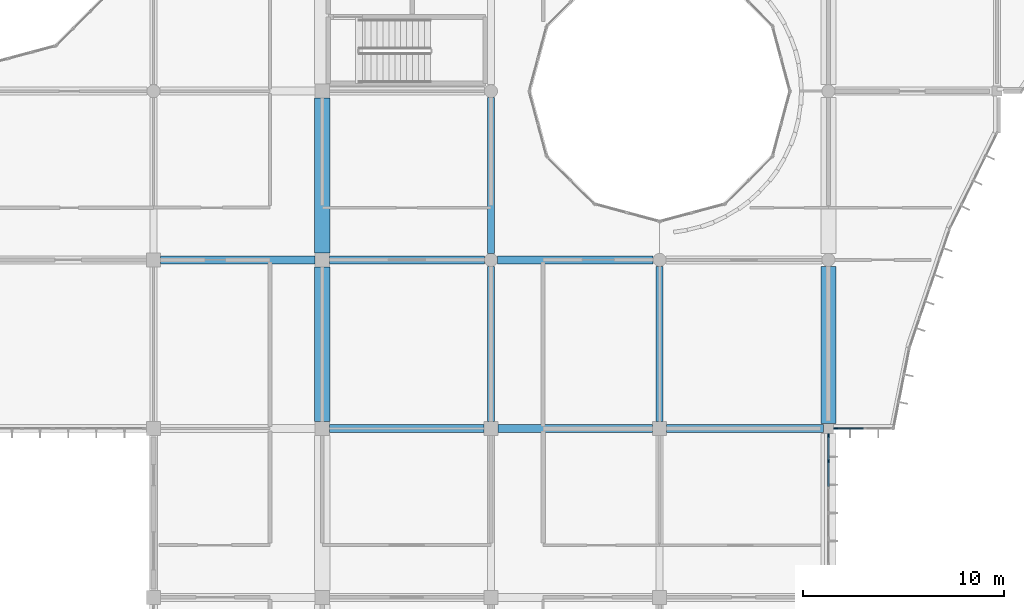
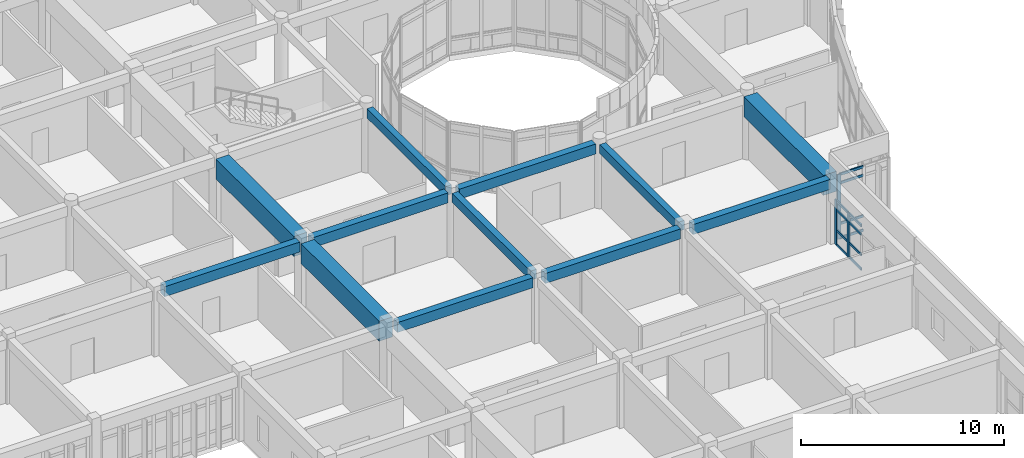
# One storey, part 14 of 119: 15 members, 12 beams, 2 elements without a shape of their own.
"""IFC4 building model written with IfcOpenShell, lengths in metres."""

from ifc_helpers import new_model, si_unit, direction, frame, origin, origin_2d, place, context, subcontext, project, spatial, rectangle, extrude, material, layer, layer_set, material_profile, profile_set, type_object, element, aggregate, save


model = new_model("IFC4")

# Units and contexts
model_context = context("Model", 3, precision=1e-05, world=origin(), true_north=direction((0.0, 1.0)))
body_context = subcontext(model_context, "Body", "Model", "MODEL_VIEW")
ifc_project = project(units=[si_unit("LENGTHUNIT", "METRE"), si_unit("AREAUNIT", "SQUARE_METRE"), si_unit("VOLUMEUNIT", "CUBIC_METRE"), si_unit("PLANEANGLEUNIT", "RADIAN"), si_unit("MASSUNIT", "GRAM", prefix="KILO")], contexts=[model_context])

# Site, building, storey
site_placement = place(None, origin())
site = spatial("IfcSite", under=ifc_project, at=site_placement, CompositionType="ELEMENT")
building_placement = place(site_placement, origin())
building = spatial("IfcBuilding", under=site, at=building_placement, Name="Bramfleet General Hospital", CompositionType="ELEMENT")
storey_placement = place(building_placement, frame((0.0, 0.0, 14.39990234375)))
storey = spatial("IfcBuildingStorey", under=building, at=storey_placement, Name="L03", CompositionType="ELEMENT", Elevation=14.39990234375)

# Beams
ifc_material_1 = material(Name="Concrete C35/45", Category="concrete")
ifc_material_profile_1 = material_profile(ifc_material_1, rectangle(XDim=0.35009765625, YDim=0.550048828125, at=origin_2d()), Name="RC BM 550x350")
ifc_profile_set_1 = profile_set([ifc_material_profile_1], Name="Concrete C35/45")
beam_type_1 = type_object("IfcBeamType", Name="BM-RC550", PredefinedType="BEAM", material=ifc_profile_set_1)
beam_1_placement = place(storey_placement, frame((109.199951171875, 50.75, 3.625), z_axis=(0.0, 1.0, 0.0), x_axis=(-1.0, 0.0, 0.0)))
element("IfcBeam", 1, at=beam_1_placement, inside=storey, type_object=beam_type_1, Name="L03 Grid Beam Y 13-06", PredefinedType="BEAM", context=body_context, shape_type="SweptSolid", body=[
    extrude(rectangle(XDim=0.35009765625, YDim=0.550048828125, at=origin_2d()), origin(), (0.0, 0.0, 1.0), 7.72509765625),
])
beam_2_placement = place(storey_placement, frame((109.199951171875, 59.125, 3.625), z_axis=(0.0, 1.0, 0.0), x_axis=(-1.0, 0.0, 0.0)))
element("IfcBeam", 2, at=beam_2_placement, inside=storey, type_object=beam_type_1, Name="L03 Grid Beam Y 13-07", PredefinedType="BEAM", context=body_context, shape_type="SweptSolid", body=[
    extrude(rectangle(XDim=0.35009765625, YDim=0.550048828125, at=origin_2d()), origin(), (0.0, 0.0, 1.0), 7.75),
])
beam_3_placement = place(storey_placement, frame((117.60009765625, 50.75, 3.625), z_axis=(0.0, 1.0, 0.0), x_axis=(-1.0, 0.0, 0.0)))
element("IfcBeam", 3, at=beam_3_placement, inside=storey, type_object=beam_type_1, Name="L03 Grid Beam Y 14-06", PredefinedType="BEAM", context=body_context, shape_type="SweptSolid", body=[
    extrude(rectangle(XDim=0.35009765625, YDim=0.550048828125, at=origin_2d()), origin(), (0.0, 0.0, 1.0), 7.72509765625),
])
ifc_material_profile_2 = material_profile(ifc_material_1, rectangle(XDim=0.39990234375, YDim=0.60009765625, at=origin_2d()), Name="RC BM 600x400")
ifc_profile_set_2 = profile_set([ifc_material_profile_2], Name="Concrete C35/45")
beam_type_2 = type_object("IfcBeamType", Name="BM-RC600", PredefinedType="BEAM", material=ifc_profile_set_2)
beam_4_placement = place(storey_placement, frame((92.75, 58.800048828125, 3.60009765625), z_axis=(1.0, 0.0, 0.0), x_axis=(0.0, 1.0, 0.0)))
element("IfcBeam", 4, at=beam_4_placement, inside=storey, type_object=beam_type_2, Name="L03 Grid Beam X 11-07", PredefinedType="BEAM", context=body_context, shape_type="SweptSolid", body=[
    extrude(rectangle(XDim=0.39990234375, YDim=0.60009765625, at=origin_2d()), origin(), (0.0, 0.0, 1.0), 7.699951171875),
])
beam_5_placement = place(storey_placement, frame((101.14990234375, 50.39990234375, 3.60009765625), z_axis=(1.0, 0.0, 0.0), x_axis=(0.0, 1.0, 0.0)))
element("IfcBeam", 5, at=beam_5_placement, inside=storey, type_object=beam_type_2, Name="L03 Grid Beam X 12-06", PredefinedType="BEAM", context=body_context, shape_type="SweptSolid", body=[
    extrude(rectangle(XDim=0.39990234375, YDim=0.60009765625, at=origin_2d()), origin(), (0.0, 0.0, 1.0), 7.7001953125),
])
beam_6_placement = place(storey_placement, frame((101.14990234375, 58.800048828125, 3.60009765625), z_axis=(1.0, 0.0, 0.0), x_axis=(0.0, 1.0, 0.0)))
element("IfcBeam", 6, at=beam_6_placement, inside=storey, type_object=beam_type_2, Name="L03 Grid Beam X 12-07", PredefinedType="BEAM", context=body_context, shape_type="SweptSolid", body=[
    extrude(rectangle(XDim=0.39990234375, YDim=0.60009765625, at=origin_2d()), origin(), (0.0, 0.0, 1.0), 7.72509765625),
])
beam_7_placement = place(storey_placement, frame((109.550048828125, 50.39990234375, 3.60009765625), z_axis=(1.0, 0.0, 0.0), x_axis=(0.0, 1.0, 0.0)))
element("IfcBeam", 7, at=beam_7_placement, inside=storey, type_object=beam_type_2, Name="L03 Grid Beam X 13-06", PredefinedType="BEAM", context=body_context, shape_type="SweptSolid", body=[
    extrude(rectangle(XDim=0.39990234375, YDim=0.60009765625, at=origin_2d()), origin(), (0.0, 0.0, 1.0), 7.699951171875),
])
beam_8_placement = place(storey_placement, frame((109.52490234375, 58.800048828125, 3.60009765625), z_axis=(1.0, 0.0, 0.0), x_axis=(0.0, 1.0, 0.0)))
element("IfcBeam", 8, at=beam_8_placement, inside=storey, type_object=beam_type_2, Name="L03 Grid Beam X 13-07", PredefinedType="BEAM", context=body_context, shape_type="SweptSolid", body=[
    extrude(rectangle(XDim=0.39990234375, YDim=0.60009765625, at=origin_2d()), origin(), (0.0, 0.0, 1.0), 7.75),
])
beam_9_placement = place(storey_placement, frame((117.949951171875, 50.39990234375, 3.60009765625), z_axis=(1.0, 0.0, 0.0), x_axis=(0.0, 1.0, 0.0)))
element("IfcBeam", 9, at=beam_9_placement, inside=storey, type_object=beam_type_2, Name="L03 Grid Beam X 14-06", PredefinedType="BEAM", context=body_context, shape_type="SweptSolid", body=[
    extrude(rectangle(XDim=0.39990234375, YDim=0.60009765625, at=origin_2d()), origin(), (0.0, 0.0, 1.0), 7.800048828125),
])
ifc_material_2 = material(Name="Concrete C40/50", Category="concrete")
ifc_material_profile_3 = material_profile(ifc_material_2, rectangle(XDim=0.75, YDim=1.199951171875, at=origin_2d()), Name="RC TG 1200x750")
ifc_profile_set_3 = profile_set([ifc_material_profile_3], Name="Concrete C40/50")
beam_type_3 = type_object("IfcBeamType", Name="BM-TG1200", PredefinedType="BEAM", material=ifc_profile_set_3)
beam_10_placement = place(storey_placement, frame((100.800048828125, 50.75, 3.300048828125), z_axis=(0.0, 1.0, 0.0), x_axis=(-1.0, 0.0, 0.0)))
element("IfcBeam", 10, at=beam_10_placement, inside=storey, type_object=beam_type_3, Name="L03 Transfer Girder Y 12-06", PredefinedType="BEAM", context=body_context, shape_type="SweptSolid", body=[
    extrude(rectangle(XDim=0.75, YDim=1.199951171875, at=origin_2d()), origin(), (0.0, 0.0, 1.0), 7.699951171875),
])
beam_11_placement = place(storey_placement, frame((100.800048828125, 59.14990234375, 3.300048828125), z_axis=(0.0, 1.0, 0.0), x_axis=(-1.0, 0.0, 0.0)))
element("IfcBeam", 11, at=beam_11_placement, inside=storey, type_object=beam_type_3, Name="L03 Transfer Girder Y 12-07", PredefinedType="BEAM", context=body_context, shape_type="SweptSolid", body=[
    extrude(rectangle(XDim=0.75, YDim=1.199951171875, at=origin_2d()), origin(), (0.0, 0.0, 1.0), 7.7001953125),
])
beam_12_placement = place(storey_placement, frame((126.0, 50.64990234375, 3.300048828125), z_axis=(0.0, 1.0, 0.0), x_axis=(-1.0, 0.0, 0.0)))
element("IfcBeam", 12, at=beam_12_placement, inside=storey, type_object=beam_type_3, Name="L03 Transfer Girder Y 15-06", PredefinedType="BEAM", context=body_context, shape_type="SweptSolid", body=[
    extrude(rectangle(XDim=0.75, YDim=1.199951171875, at=origin_2d()), origin(), (0.0, 0.0, 1.0), 7.8251953125),
])

# Curtain wall, member
ifc_material_3 = material(Name="Anodised aluminium and low-E triple glazing", Category="aluminium")
ifc_layer_1 = layer(ifc_material_3, 0.179931640625, Name="CWT-CW-17")
ifc_layer_set_1 = layer_set([ifc_layer_1], Name="Anodised aluminium and low-E triple glazing")
curtain_wall_type_1 = type_object("IfcCurtainWallType", Name="CWT-CW-17", PredefinedType="USERDEFINED", material=ifc_layer_set_1)
curtain_wall_1_placement = place(storey_placement, origin())
curtain_wall_1 = element("IfcCurtainWall", 13, at=curtain_wall_1_placement, inside=storey, type_object=curtain_wall_type_1, Name="L03 Curtain Wall 161", ObjectType="Stick curtain wall", PredefinedType="USERDEFINED")
ifc_material_4 = material(Name="Structural timber GL28h", Category="wood")
ifc_material_profile_4 = material_profile(ifc_material_4, rectangle(XDim=0.070068359375, YDim=0.18994140625, at=origin_2d()), Name="LARCH 190x70")
ifc_profile_set_4 = profile_set([ifc_material_profile_4], Name="Structural timber GL28h")
member_type_1 = type_object("IfcMemberType", Name="CWM-LARCH450", PredefinedType="MULLION", material=ifc_profile_set_4)
member_1_placement = place(storey_placement, frame((126.360107421875, 50.39990234375, 0.0), z_axis=(0.0, 0.0, 1.0), x_axis=(0.0, -1.0, 0.0)))
member_1 = element("IfcMember", 14, at=member_1_placement, type_object=member_type_1, Name="CW-17 mullion 3", PredefinedType="MULLION", context=body_context, shape_type="SweptSolid", body=[
    extrude(rectangle(XDim=0.070068359375, YDim=0.18994140625, at=origin_2d()), origin(), (0.0, 0.0, 1.0), 3.89013671875),
])

# Curtain wall, members
ifc_layer_2 = layer(ifc_material_3, 0.179931640625, Name="CWT-CW-18")
ifc_layer_set_2 = layer_set([ifc_layer_2], Name="Anodised aluminium and low-E triple glazing")
curtain_wall_type_2 = type_object("IfcCurtainWallType", Name="CWT-CW-18", PredefinedType="USERDEFINED", material=ifc_layer_set_2)
curtain_wall_2_placement = place(storey_placement, origin())
curtain_wall_2 = element("IfcCurtainWall", 15, at=curtain_wall_2_placement, inside=storey, type_object=curtain_wall_type_2, Name="L03 Curtain Wall 162", ObjectType="Stick curtain wall", PredefinedType="USERDEFINED")
member_2_placement = place(storey_placement, frame((126.0, 50.0400390625, 0.0), z_axis=(0.0, 0.0, 1.0), x_axis=(1.0, 0.0, 0.0)))
member_2 = element("IfcMember", 16, at=member_2_placement, type_object=member_type_1, Name="CW-18 mullion 1", PredefinedType="MULLION", context=body_context, shape_type="SweptSolid", body=[
    extrude(rectangle(XDim=0.070068359375, YDim=0.18994140625, at=origin_2d()), origin(), (0.0, 0.0, 1.0), 2.690185546875),
])
member_3_placement = place(storey_placement, frame((126.0, 48.783447265625, 0.0), z_axis=(0.0, 0.0, 1.0), x_axis=(1.0, 0.0, 0.0)))
member_3 = element("IfcMember", 17, at=member_3_placement, type_object=member_type_1, Name="CW-18 mullion 2", PredefinedType="MULLION", context=body_context, shape_type="SweptSolid", body=[
    extrude(rectangle(XDim=0.070068359375, YDim=0.18994140625, at=origin_2d()), origin(), (0.0, 0.0, 1.0), 2.690185546875),
])

# Member
ifc_material_profile_5 = material_profile(ifc_material_4, rectangle(XDim=0.06494140625, YDim=0.14990234375, at=origin_2d()), Name="LARCH 150x65")
ifc_profile_set_5 = profile_set([ifc_material_profile_5], Name="Structural timber GL28h")
member_type_2 = type_object("IfcMemberType", Name="CWT-LARCH220", PredefinedType="USERDEFINED", material=ifc_profile_set_5)
member_4_placement = place(storey_placement, frame((127.7451171875, 50.39990234375, 0.03271484375), z_axis=(-1.0, 0.0, 0.0), x_axis=(0.0, -1.0, 0.0)))
member_4 = element("IfcMember", 18, at=member_4_placement, type_object=member_type_2, Name="CW-17 transom 2.1", ObjectType="TRANSOM", PredefinedType="USERDEFINED", context=body_context, shape_type="SweptSolid", body=[
    extrude(rectangle(XDim=0.06494140625, YDim=0.14990234375, at=origin_2d()), origin(), (0.0, 0.0, 1.0), 1.35009765625),
])

member_5_placement = place(storey_placement, frame((127.7451171875, 50.39990234375, 0.900146484375), z_axis=(-1.0, 0.0, 0.0), x_axis=(0.0, -1.0, 0.0)))
member_5 = element("IfcMember", 19, at=member_5_placement, type_object=member_type_2, Name="CW-17 transom 2.2", ObjectType="TRANSOM", PredefinedType="USERDEFINED", context=body_context, shape_type="SweptSolid", body=[
    extrude(rectangle(XDim=0.06494140625, YDim=0.14990234375, at=origin_2d()), origin(), (0.0, 0.0, 1.0), 1.35009765625),
])

member_6_placement = place(storey_placement, frame((127.7451171875, 50.39990234375, 3.340087890625), z_axis=(-1.0, 0.0, 0.0), x_axis=(0.0, -1.0, 0.0)))
member_6 = element("IfcMember", 20, at=member_6_placement, type_object=member_type_2, Name="CW-17 transom 2.3", ObjectType="TRANSOM", PredefinedType="USERDEFINED", context=body_context, shape_type="SweptSolid", body=[
    extrude(rectangle(XDim=0.06494140625, YDim=0.14990234375, at=origin_2d()), origin(), (0.0, 0.0, 1.0), 1.35009765625),
])

member_7_placement = place(storey_placement, frame((127.7451171875, 50.39990234375, 3.857666015625), z_axis=(-1.0, 0.0, 0.0), x_axis=(0.0, -1.0, 0.0)))
member_7 = element("IfcMember", 21, at=member_7_placement, type_object=member_type_2, Name="CW-17 transom 2.4", ObjectType="TRANSOM", PredefinedType="USERDEFINED", context=body_context, shape_type="SweptSolid", body=[
    extrude(rectangle(XDim=0.06494140625, YDim=0.14990234375, at=origin_2d()), origin(), (0.0, 0.0, 1.0), 1.35009765625),
])

aggregate(curtain_wall_1, [member_1, member_4, member_5, member_6, member_7])

member_8_placement = place(storey_placement, frame((126.0, 50.0048828125, 0.03271484375), z_axis=(0.0, -1.0, 0.0), x_axis=(1.0, 0.0, 0.0)))
member_8 = element("IfcMember", 22, at=member_8_placement, type_object=member_type_2, Name="CW-18 transom 1.1", ObjectType="TRANSOM", PredefinedType="USERDEFINED", context=body_context, shape_type="SweptSolid", body=[
    extrude(rectangle(XDim=0.06494140625, YDim=0.14990234375, at=origin_2d()), origin(), (0.0, 0.0, 1.0), 1.1865234375),
])

member_9_placement = place(storey_placement, frame((126.0, 50.0048828125, 0.900146484375), z_axis=(0.0, -1.0, 0.0), x_axis=(1.0, 0.0, 0.0)))
member_9 = element("IfcMember", 23, at=member_9_placement, type_object=member_type_2, Name="CW-18 transom 1.2", ObjectType="TRANSOM", PredefinedType="USERDEFINED", context=body_context, shape_type="SweptSolid", body=[
    extrude(rectangle(XDim=0.06494140625, YDim=0.14990234375, at=origin_2d()), origin(), (0.0, 0.0, 1.0), 1.1865234375),
])

member_10_placement = place(storey_placement, frame((126.0, 50.0048828125, 2.14013671875), z_axis=(0.0, -1.0, 0.0), x_axis=(1.0, 0.0, 0.0)))
member_10 = element("IfcMember", 24, at=member_10_placement, type_object=member_type_2, Name="CW-18 transom 1.3", ObjectType="TRANSOM", PredefinedType="USERDEFINED", context=body_context, shape_type="SweptSolid", body=[
    extrude(rectangle(XDim=0.06494140625, YDim=0.14990234375, at=origin_2d()), origin(), (0.0, 0.0, 1.0), 1.1865234375),
])

member_11_placement = place(storey_placement, frame((126.0, 50.0048828125, 2.65771484375), z_axis=(0.0, -1.0, 0.0), x_axis=(1.0, 0.0, 0.0)))
member_11 = element("IfcMember", 25, at=member_11_placement, type_object=member_type_2, Name="CW-18 transom 1.4", ObjectType="TRANSOM", PredefinedType="USERDEFINED", context=body_context, shape_type="SweptSolid", body=[
    extrude(rectangle(XDim=0.06494140625, YDim=0.14990234375, at=origin_2d()), origin(), (0.0, 0.0, 1.0), 1.1865234375),
])

member_12_placement = place(storey_placement, frame((126.0, 48.748291015625, 0.03271484375), z_axis=(0.0, -1.0, 0.0), x_axis=(1.0, 0.0, 0.0)))
member_12 = element("IfcMember", 26, at=member_12_placement, type_object=member_type_2, Name="CW-18 transom 2.1", ObjectType="TRANSOM", PredefinedType="USERDEFINED", context=body_context, shape_type="SweptSolid", body=[
    extrude(rectangle(XDim=0.06494140625, YDim=0.14990234375, at=origin_2d()), origin(), (0.0, 0.0, 1.0), 1.2216796875),
])

member_13_placement = place(storey_placement, frame((126.0, 48.748291015625, 0.900146484375), z_axis=(0.0, -1.0, 0.0), x_axis=(1.0, 0.0, 0.0)))
member_13 = element("IfcMember", 27, at=member_13_placement, type_object=member_type_2, Name="CW-18 transom 2.2", ObjectType="TRANSOM", PredefinedType="USERDEFINED", context=body_context, shape_type="SweptSolid", body=[
    extrude(rectangle(XDim=0.06494140625, YDim=0.14990234375, at=origin_2d()), origin(), (0.0, 0.0, 1.0), 1.2216796875),
])

member_14_placement = place(storey_placement, frame((126.0, 48.748291015625, 2.14013671875), z_axis=(0.0, -1.0, 0.0), x_axis=(1.0, 0.0, 0.0)))
member_14 = element("IfcMember", 28, at=member_14_placement, type_object=member_type_2, Name="CW-18 transom 2.3", ObjectType="TRANSOM", PredefinedType="USERDEFINED", context=body_context, shape_type="SweptSolid", body=[
    extrude(rectangle(XDim=0.06494140625, YDim=0.14990234375, at=origin_2d()), origin(), (0.0, 0.0, 1.0), 1.2216796875),
])

member_15_placement = place(storey_placement, frame((126.0, 48.748291015625, 2.65771484375), z_axis=(0.0, -1.0, 0.0), x_axis=(1.0, 0.0, 0.0)))
member_15 = element("IfcMember", 29, at=member_15_placement, type_object=member_type_2, Name="CW-18 transom 2.4", ObjectType="TRANSOM", PredefinedType="USERDEFINED", context=body_context, shape_type="SweptSolid", body=[
    extrude(rectangle(XDim=0.06494140625, YDim=0.14990234375, at=origin_2d()), origin(), (0.0, 0.0, 1.0), 1.2216796875),
])

aggregate(curtain_wall_2, [member_2, member_3, member_8, member_9, member_10, member_11, member_12, member_13, member_14, member_15])

save(model, "model.ifc")
